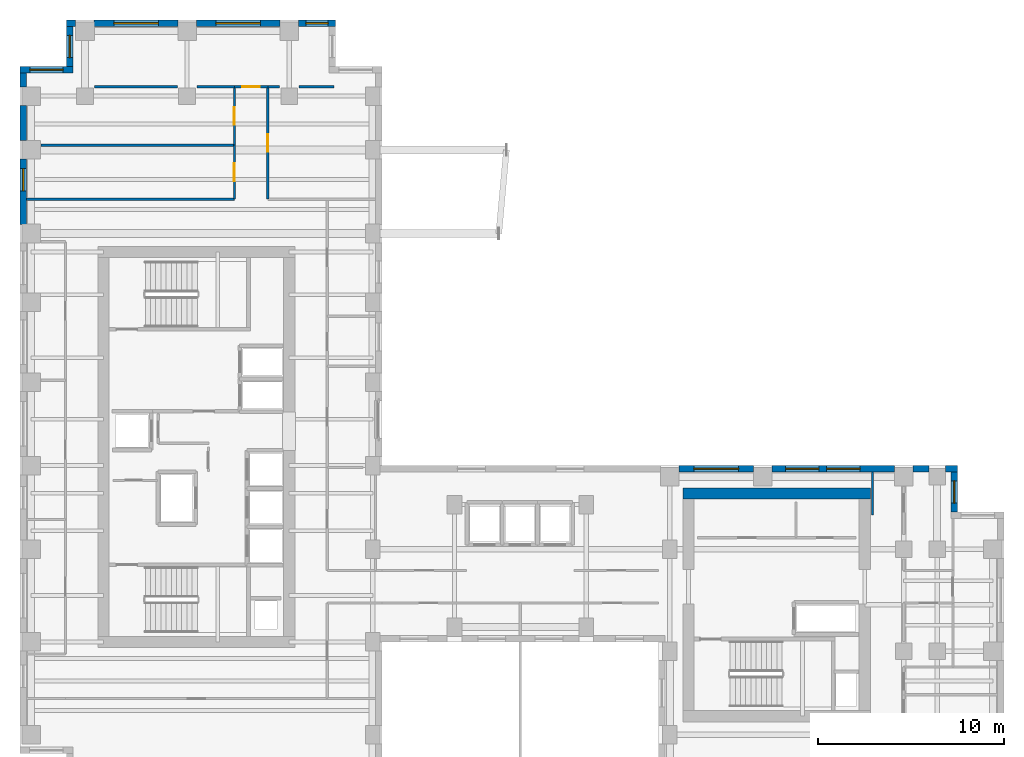
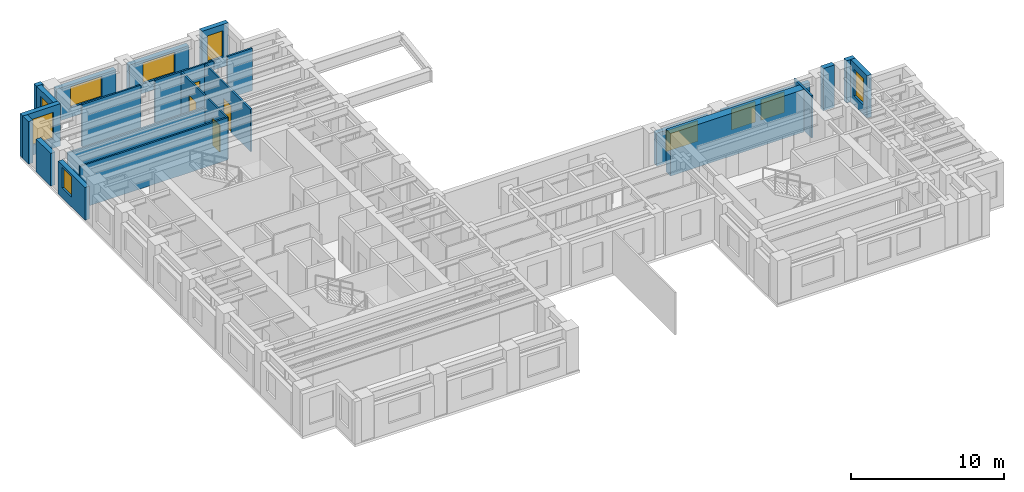
# One storey, part 10 of 13: 26 walls, 10 windows, 4 doors, 14 openings.
"""IFC4 building model written with IfcOpenShell, lengths in metres."""

from ifc_helpers import new_model, si_unit, direction, frame, frame_2d, origin, place, context, subcontext, project, spatial, rectangle, extrude, source, transform, mapped, material, layer, layer_set, type_object, element, fill, save


model = new_model("IFC4")

# Units and contexts
model_context = context("Model", 3, precision=1e-05, world=origin(), true_north=direction((0.0, 1.0)))
body_context = subcontext(model_context, "Body", "Model", "MODEL_VIEW")
ifc_project = project(units=[si_unit("LENGTHUNIT", "METRE"), si_unit("AREAUNIT", "SQUARE_METRE"), si_unit("VOLUMEUNIT", "CUBIC_METRE"), si_unit("PLANEANGLEUNIT", "RADIAN"), si_unit("MASSUNIT", "GRAM", prefix="KILO")], contexts=[model_context])

# Site, building, storey
site_placement = place(None, origin())
site = spatial("IfcSite", under=ifc_project, at=site_placement, CompositionType="ELEMENT")
building_placement = place(site_placement, origin())
building = spatial("IfcBuilding", under=site, at=building_placement, Name="Kharzan Plaza Tower", CompositionType="ELEMENT")
storey_placement = place(building_placement, frame((0.0, 0.0, 197.10009765625)))
storey = spatial("IfcBuildingStorey", under=building, at=storey_placement, Name="L53", CompositionType="ELEMENT", Elevation=197.10009765625)

# Wall, opening, window
ifc_material_1 = material(Name="Concrete C40/50", Category="concrete")
ifc_layer_1 = layer(ifc_material_1, 0.35009765625)
ifc_layer_set_1 = layer_set([ifc_layer_1], Name="Concrete C40/50")
wall_type_1 = type_object("IfcWallType", Name="WL-EXT-MAS-Z3", PredefinedType="SOLIDWALL", material=ifc_layer_set_1)
wall_1_placement = place(storey_placement, frame((17.0, 41.824951171875, 0.0), z_axis=(0.0, 0.0, 1.0), x_axis=(-1.0, 0.0, 0.0)))
wall_1 = element("IfcWall", 1, at=wall_1_placement, inside=storey, type_object=wall_type_1, Name="L53 Masonry-Frame Exterior Wall 03", PredefinedType="SOLIDWALL", context=body_context, shape_type="SweptSolid", body=[
    extrude(rectangle(XDim=2.001953125, YDim=0.35009765625, at=frame_2d((1.0009765625, 0.0))), origin(), (0.0, 0.0, 1.0), 3.385009765625),
])
opening_1_placement = place(wall_1_placement, frame((0.40087890625, 0.0, 0.780029296875)))
opening_1 = element("IfcOpeningElement", 2, at=opening_1_placement, cuts=wall_1, Name="Opening W3", PredefinedType="OPENING", context=body_context, shape_type="SweptSolid", body=[
    extrude(rectangle(XDim=1.199951171875, YDim=2.10009765625, at=frame_2d((0.60009765625, 1.050048828125))), frame((0.0, 0.18505859375, 0.0), z_axis=(0.0, -1.0, 0.0), x_axis=(1.0, 0.0, 0.0)), (0.0, 0.0, 1.0), 0.3701171875),
])
ifc_material_2 = material(Name="Low-E Double Glazing", Category="glass")
window_type_1 = type_object("IfcWindowType", Name="WN-REC-1200x2100", PartitioningType="SINGLE_PANEL", PredefinedType="WINDOW", material=ifc_material_2)
shared_shape_1 = source(origin(), body_context, "Body", "SweptSolid", [
    extrude(rectangle(XDim=1.199951171875, YDim=2.10009765625, at=frame_2d((0.60009765625, 1.050048828125))), frame((0.0, 0.030029296875, 0.0), z_axis=(0.0, -1.0, 0.0), x_axis=(1.0, 0.0, 0.0)), (0.0, 0.0, 1.0), 0.06005859375),
])
window_1_placement = place(opening_1_placement, origin())
window_1 = element("IfcWindow", 3, at=window_1_placement, inside=storey, type_object=window_type_1, Name="L53 Recessed Solar-Control Window 03-1", OverallHeight=2.10009765625, OverallWidth=1.199951171875, PartitioningType="SINGLE_PANEL", PredefinedType="WINDOW", context=body_context, shape_type="MappedRepresentation", body=[
    mapped(shared_shape_1, transform((0.0, 0.0, 0.0), x_axis=(1.0, 0.0, 0.0), y_axis=(0.0, 1.0, 0.0), z_axis=(0.0, 0.0, 1.0))),
])
fill(opening_1, window_1)

wall_2_placement = place(storey_placement, frame((14.001953125, 41.824951171875, 0.0), z_axis=(0.0, 0.0, 1.0), x_axis=(-1.0, 0.0, 0.0)))
wall_2 = element("IfcWall", 4, at=wall_2_placement, inside=storey, type_object=wall_type_1, Name="L53 Masonry-Frame Exterior Wall 04", PredefinedType="SOLIDWALL", context=body_context, shape_type="SweptSolid", body=[
    extrude(rectangle(XDim=4.50390625, YDim=0.35009765625, at=frame_2d((2.251953125, 0.0))), origin(), (0.0, 0.0, 1.0), 2.61181640625),
])
opening_2_placement = place(wall_2_placement, frame((1.052001953125, 0.0, 0.780029296875)))
opening_2 = element("IfcOpeningElement", 5, at=opening_2_placement, cuts=wall_2, Name="Opening W2", PredefinedType="OPENING", context=body_context, shape_type="SweptSolid", body=[
    extrude(rectangle(XDim=2.39990234375, YDim=1.652099609375, at=frame_2d((1.199951171875, 0.826171875))), frame((0.0, 0.18505859375, 0.0), z_axis=(0.0, -1.0, 0.0), x_axis=(1.0, 0.0, 0.0)), (0.0, 0.0, 1.0), 0.3701171875),
])
window_type_2 = type_object("IfcWindowType", Name="WN-REC-2400x2100", PartitioningType="SINGLE_PANEL", PredefinedType="WINDOW", material=ifc_material_2)
shared_shape_2 = source(origin(), body_context, "Body", "SweptSolid", [
    extrude(rectangle(XDim=2.39990234375, YDim=1.652099609375, at=frame_2d((1.199951171875, 0.826171875))), frame((0.0, 0.030029296875, 0.0), z_axis=(0.0, -1.0, 0.0), x_axis=(1.0, 0.0, 0.0)), (0.0, 0.0, 1.0), 0.06005859375),
])
window_2_placement = place(opening_2_placement, origin())
window_2 = element("IfcWindow", 6, at=window_2_placement, inside=storey, type_object=window_type_2, Name="L53 Wide Recessed Solar-Control Window 04-1", OverallHeight=1.652099609375, OverallWidth=2.39990234375, PartitioningType="SINGLE_PANEL", PredefinedType="WINDOW", context=body_context, shape_type="MappedRepresentation", body=[
    mapped(shared_shape_2, transform((0.0, 0.0, 0.0), x_axis=(1.0, 0.0, 0.0), y_axis=(0.0, 1.0, 0.0), z_axis=(0.0, 0.0, 1.0))),
])
fill(opening_2, window_2)

wall_3_placement = place(storey_placement, frame((8.501953125, 41.824951171875, 0.0), z_axis=(0.0, 0.0, 1.0), x_axis=(-1.0, 0.0, 0.0)))
wall_3 = element("IfcWall", 7, at=wall_3_placement, inside=storey, type_object=wall_type_1, Name="L53 Masonry-Frame Exterior Wall 05", PredefinedType="SOLIDWALL", context=body_context, shape_type="SweptSolid", body=[
    extrude(rectangle(XDim=4.50390625, YDim=0.35009765625, at=frame_2d((2.251953125, 0.0))), origin(), (0.0, 0.0, 1.0), 2.61181640625),
])
opening_3_placement = place(wall_3_placement, frame((1.052001953125, 0.0, 0.780029296875)))
opening_3 = element("IfcOpeningElement", 8, at=opening_3_placement, cuts=wall_3, Name="Opening W2", PredefinedType="OPENING", context=body_context, shape_type="SweptSolid", body=[
    extrude(rectangle(XDim=2.39990234375, YDim=1.652099609375, at=frame_2d((1.199951171875, 0.826171875))), frame((0.0, 0.18505859375, 0.0), z_axis=(0.0, -1.0, 0.0), x_axis=(1.0, 0.0, 0.0)), (0.0, 0.0, 1.0), 0.3701171875),
])
window_3_placement = place(opening_3_placement, origin())
window_3 = element("IfcWindow", 9, at=window_3_placement, inside=storey, type_object=window_type_2, Name="L53 Wide Recessed Solar-Control Window 05-1", OverallHeight=1.652099609375, OverallWidth=2.39990234375, PartitioningType="SINGLE_PANEL", PredefinedType="WINDOW", context=body_context, shape_type="MappedRepresentation", body=[
    mapped(shared_shape_2, transform((0.0, 0.0, 0.0), x_axis=(1.0, 0.0, 0.0), y_axis=(0.0, 1.0, 0.0), z_axis=(0.0, 0.0, 1.0))),
])
fill(opening_3, window_3)

wall_4_placement = place(storey_placement, frame((2.675048828125, 41.652099609375, 0.0), z_axis=(0.0, 0.0, 1.0), x_axis=(0.0, -1.0, 0.0)))
wall_4 = element("IfcWall", 10, at=wall_4_placement, inside=storey, type_object=wall_type_1, Name="L53 Masonry-Frame Exterior Wall 07", PredefinedType="SOLIDWALL", context=body_context, shape_type="SweptSolid", body=[
    extrude(rectangle(XDim=2.154052734375, YDim=0.35009765625, at=frame_2d((1.0771484375, 0.0))), origin(), (0.0, 0.0, 1.0), 3.385009765625),
])
opening_4_placement = place(wall_4_placement, frame((0.47705078125, 0.0, 0.780029296875)))
opening_4 = element("IfcOpeningElement", 11, at=opening_4_placement, cuts=wall_4, Name="Opening W3", PredefinedType="OPENING", context=body_context, shape_type="SweptSolid", body=[
    extrude(rectangle(XDim=1.199951171875, YDim=2.10009765625, at=frame_2d((0.60009765625, 1.050048828125))), frame((0.0, 0.18505859375, 0.0), z_axis=(0.0, -1.0, 0.0), x_axis=(1.0, 0.0, 0.0)), (0.0, 0.0, 1.0), 0.3701171875),
])
window_4_placement = place(opening_4_placement, origin())
window_4 = element("IfcWindow", 12, at=window_4_placement, inside=storey, type_object=window_type_1, Name="L53 Recessed Solar-Control Window 07-1", OverallHeight=2.10009765625, OverallWidth=1.199951171875, PartitioningType="SINGLE_PANEL", PredefinedType="WINDOW", context=body_context, shape_type="MappedRepresentation", body=[
    mapped(shared_shape_1, transform((0.0, 0.0, 0.0), x_axis=(1.0, 0.0, 0.0), y_axis=(0.0, 1.0, 0.0), z_axis=(0.0, 0.0, 1.0))),
])
fill(opening_4, window_4)

wall_5_placement = place(storey_placement, frame((2.85009765625, 39.324951171875, 0.0), z_axis=(0.0, 0.0, 1.0), x_axis=(-1.0, 0.0, 0.0)))
wall_5 = element("IfcWall", 13, at=wall_5_placement, inside=storey, type_object=wall_type_1, Name="L53 Masonry-Frame Exterior Wall 08", PredefinedType="SOLIDWALL", context=body_context, shape_type="SweptSolid", body=[
    extrude(rectangle(XDim=2.85009765625, YDim=0.35009765625, at=frame_2d((1.425048828125, 0.0))), origin(), (0.0, 0.0, 1.0), 3.385009765625),
])
opening_5_placement = place(wall_5_placement, frame((0.52490234375, 0.0, 0.780029296875)))
opening_5 = element("IfcOpeningElement", 14, at=opening_5_placement, cuts=wall_5, Name="Opening W1", PredefinedType="OPENING", context=body_context, shape_type="SweptSolid", body=[
    extrude(rectangle(XDim=1.800048828125, YDim=2.10009765625, at=frame_2d((0.89990234375, 1.050048828125))), frame((0.0, 0.18505859375, 0.0), z_axis=(0.0, -1.0, 0.0), x_axis=(1.0, 0.0, 0.0)), (0.0, 0.0, 1.0), 0.3701171875),
])
window_type_3 = type_object("IfcWindowType", Name="WN-REC-1800x2100", PartitioningType="SINGLE_PANEL", PredefinedType="WINDOW", material=ifc_material_2)
shared_shape_3 = source(origin(), body_context, "Body", "SweptSolid", [
    extrude(rectangle(XDim=1.800048828125, YDim=2.10009765625, at=frame_2d((0.89990234375, 1.050048828125))), frame((0.0, 0.030029296875, 0.0), z_axis=(0.0, -1.0, 0.0), x_axis=(1.0, 0.0, 0.0)), (0.0, 0.0, 1.0), 0.06005859375),
])
window_5_placement = place(opening_5_placement, origin())
window_5 = element("IfcWindow", 15, at=window_5_placement, inside=storey, type_object=window_type_3, Name="L53 Recessed Solar-Control Window 08-1", OverallHeight=2.10009765625, OverallWidth=1.800048828125, PartitioningType="SINGLE_PANEL", PredefinedType="WINDOW", context=body_context, shape_type="MappedRepresentation", body=[
    mapped(shared_shape_3, transform((0.0, 0.0, 0.0), x_axis=(1.0, 0.0, 0.0), y_axis=(0.0, 1.0, 0.0), z_axis=(0.0, 0.0, 1.0))),
])
fill(opening_5, window_5)

wall_6_placement = place(storey_placement, frame((0.175048828125, 34.501953125, 0.0), z_axis=(0.0, 0.0, 1.0), x_axis=(0.0, -1.0, 0.0)))
wall_6 = element("IfcWall", 16, at=wall_6_placement, inside=storey, type_object=wall_type_1, Name="L53 Masonry-Frame Exterior Wall 11", PredefinedType="SOLIDWALL", context=body_context, shape_type="SweptSolid", body=[
    extrude(rectangle(XDim=3.50390625, YDim=0.35009765625, at=frame_2d((1.751953125, 0.0))), origin(), (0.0, 0.0, 1.0), 2.61181640625),
])
opening_6_placement = place(wall_6_placement, frame((0.510986328125, 0.0, 0.780029296875)))
opening_6 = element("IfcOpeningElement", 17, at=opening_6_placement, cuts=wall_6, Name="Opening W3", PredefinedType="OPENING", context=body_context, shape_type="SweptSolid", body=[
    extrude(rectangle(XDim=1.199951171875, YDim=1.652099609375, at=frame_2d((0.60009765625, 0.826171875))), frame((0.0, 0.18505859375, 0.0), z_axis=(0.0, -1.0, 0.0), x_axis=(1.0, 0.0, 0.0)), (0.0, 0.0, 1.0), 0.3701171875),
])
shared_shape_4 = source(origin(), body_context, "Body", "SweptSolid", [
    extrude(rectangle(XDim=1.199951171875, YDim=1.652099609375, at=frame_2d((0.60009765625, 0.826171875))), frame((0.0, 0.030029296875, 0.0), z_axis=(0.0, -1.0, 0.0), x_axis=(1.0, 0.0, 0.0)), (0.0, 0.0, 1.0), 0.06005859375),
])
window_6_placement = place(opening_6_placement, origin())
window_6 = element("IfcWindow", 18, at=window_6_placement, inside=storey, type_object=window_type_1, Name="L53 Recessed Solar-Control Window 11-1", OverallHeight=1.652099609375, OverallWidth=1.199951171875, PartitioningType="SINGLE_PANEL", PredefinedType="WINDOW", context=body_context, shape_type="MappedRepresentation", body=[
    mapped(shared_shape_4, transform((0.0, 0.0, 0.0), x_axis=(1.0, 0.0, 0.0), y_axis=(0.0, 1.0, 0.0), z_axis=(0.0, 0.0, 1.0))),
])
fill(opening_6, window_6)

wall_7_placement = place(storey_placement, frame((50.324951171875, 15.498046875, 0.0), z_axis=(0.0, 0.0, 1.0), x_axis=(0.0, 1.0, 0.0)))
wall_7 = element("IfcWall", 19, at=wall_7_placement, inside=storey, type_object=wall_type_1, Name="L53 Masonry-Frame Exterior Wall 41", PredefinedType="SOLIDWALL", context=body_context, shape_type="SweptSolid", body=[
    extrude(rectangle(XDim=2.154052734375, YDim=0.35009765625, at=frame_2d((1.0771484375, 0.0))), origin(), (0.0, 0.0, 1.0), 3.385009765625),
])
opening_7_placement = place(wall_7_placement, frame((0.47705078125, 0.0, 0.780029296875)))
opening_7 = element("IfcOpeningElement", 20, at=opening_7_placement, cuts=wall_7, Name="Opening W3", PredefinedType="OPENING", context=body_context, shape_type="SweptSolid", body=[
    extrude(rectangle(XDim=1.199951171875, YDim=2.10009765625, at=frame_2d((0.60009765625, 1.050048828125))), frame((0.0, 0.18505859375, 0.0), z_axis=(0.0, -1.0, 0.0), x_axis=(1.0, 0.0, 0.0)), (0.0, 0.0, 1.0), 0.3701171875),
])
window_7_placement = place(opening_7_placement, origin())
window_7 = element("IfcWindow", 21, at=window_7_placement, inside=storey, type_object=window_type_1, Name="L53 Recessed Solar-Control Window 41-1", OverallHeight=2.10009765625, OverallWidth=1.199951171875, PartitioningType="SINGLE_PANEL", PredefinedType="WINDOW", context=body_context, shape_type="MappedRepresentation", body=[
    mapped(shared_shape_1, transform((0.0, 0.0, 0.0), x_axis=(1.0, 0.0, 0.0), y_axis=(0.0, 1.0, 0.0), z_axis=(0.0, 0.0, 1.0))),
])
fill(opening_7, window_7)

# Wall, openings, windows
wall_8_placement = place(storey_placement, frame((47.10205078125, 17.824951171875, 0.0), z_axis=(0.0, 0.0, 1.0), x_axis=(-1.0, 0.0, 0.0)))
wall_8 = element("IfcWall", 22, at=wall_8_placement, inside=storey, type_object=wall_type_1, Name="L53 Masonry-Frame Exterior Wall 44", PredefinedType="SOLIDWALL", context=body_context, shape_type="SweptSolid", body=[
    extrude(rectangle(XDim=6.60400390625, YDim=0.35009765625, at=frame_2d((3.302001953125, 0.0))), origin(), (0.0, 0.0, 1.0), 2.61181640625),
])
opening_8_placement = place(wall_8_placement, frame((1.849365234375, 0.0, 0.780029296875)))
opening_8 = element("IfcOpeningElement", 23, at=opening_8_placement, cuts=wall_8, Name="Opening W1", PredefinedType="OPENING", context=body_context, shape_type="SweptSolid", body=[
    extrude(rectangle(XDim=1.800048828125, YDim=1.652099609375, at=frame_2d((0.89990234375, 0.826171875))), frame((0.0, 0.18505859375, 0.0), z_axis=(0.0, -1.0, 0.0), x_axis=(1.0, 0.0, 0.0)), (0.0, 0.0, 1.0), 0.3701171875),
])
opening_9_placement = place(wall_8_placement, frame((4.066650390625, 0.0, 0.780029296875)))
opening_9 = element("IfcOpeningElement", 24, at=opening_9_placement, cuts=wall_8, Name="Opening W1", PredefinedType="OPENING", context=body_context, shape_type="SweptSolid", body=[
    extrude(rectangle(XDim=1.800048828125, YDim=1.652099609375, at=frame_2d((0.89990234375, 0.826171875))), frame((0.0, 0.18505859375, 0.0), z_axis=(0.0, -1.0, 0.0), x_axis=(1.0, 0.0, 0.0)), (0.0, 0.0, 1.0), 0.3701171875),
])
shared_shape_5 = source(origin(), body_context, "Body", "SweptSolid", [
    extrude(rectangle(XDim=1.800048828125, YDim=1.652099609375, at=frame_2d((0.89990234375, 0.826171875))), frame((0.0, 0.030029296875, 0.0), z_axis=(0.0, -1.0, 0.0), x_axis=(1.0, 0.0, 0.0)), (0.0, 0.0, 1.0), 0.06005859375),
])
window_8_placement = place(opening_8_placement, origin())
window_8 = element("IfcWindow", 25, at=window_8_placement, inside=storey, type_object=window_type_3, Name="L53 Recessed Solar-Control Window 44-1", OverallHeight=1.652099609375, OverallWidth=1.800048828125, PartitioningType="SINGLE_PANEL", PredefinedType="WINDOW", context=body_context, shape_type="MappedRepresentation", body=[
    mapped(shared_shape_5, transform((0.0, 0.0, 0.0), x_axis=(1.0, 0.0, 0.0), y_axis=(0.0, 1.0, 0.0), z_axis=(0.0, 0.0, 1.0))),
])
fill(opening_8, window_8)
window_9_placement = place(opening_9_placement, origin())
window_9 = element("IfcWindow", 26, at=window_9_placement, inside=storey, type_object=window_type_3, Name="L53 Recessed Solar-Control Window 44-2", OverallHeight=1.652099609375, OverallWidth=1.800048828125, PartitioningType="SINGLE_PANEL", PredefinedType="WINDOW", context=body_context, shape_type="MappedRepresentation", body=[
    mapped(shared_shape_5, transform((0.0, 0.0, 0.0), x_axis=(1.0, 0.0, 0.0), y_axis=(0.0, 1.0, 0.0), z_axis=(0.0, 0.0, 1.0))),
])
fill(opening_9, window_9)

# Wall, opening, window
wall_9_placement = place(storey_placement, frame((39.501953125, 17.824951171875, 0.0), z_axis=(0.0, 0.0, 1.0), x_axis=(-1.0, 0.0, 0.0)))
wall_9 = element("IfcWall", 27, at=wall_9_placement, inside=storey, type_object=wall_type_1, Name="L53 Masonry-Frame Exterior Wall 45", PredefinedType="SOLIDWALL", context=body_context, shape_type="SweptSolid", body=[
    extrude(rectangle(XDim=4.00390625, YDim=0.35009765625, at=frame_2d((2.001953125, 0.0))), origin(), (0.0, 0.0, 1.0), 2.61181640625),
])
opening_10_placement = place(wall_9_placement, frame((0.802001953125, 0.0, 0.780029296875)))
opening_10 = element("IfcOpeningElement", 28, at=opening_10_placement, cuts=wall_9, Name="Opening W2", PredefinedType="OPENING", context=body_context, shape_type="SweptSolid", body=[
    extrude(rectangle(XDim=2.39990234375, YDim=1.652099609375, at=frame_2d((1.199951171875, 0.826171875))), frame((0.0, 0.18505859375, 0.0), z_axis=(0.0, -1.0, 0.0), x_axis=(1.0, 0.0, 0.0)), (0.0, 0.0, 1.0), 0.3701171875),
])
window_10_placement = place(opening_10_placement, origin())
window_10 = element("IfcWindow", 29, at=window_10_placement, inside=storey, type_object=window_type_2, Name="L53 Wide Recessed Solar-Control Window 45-1", OverallHeight=1.652099609375, OverallWidth=2.39990234375, PartitioningType="SINGLE_PANEL", PredefinedType="WINDOW", context=body_context, shape_type="MappedRepresentation", body=[
    mapped(shared_shape_2, transform((0.0, 0.0, 0.0), x_axis=(1.0, 0.0, 0.0), y_axis=(0.0, 1.0, 0.0), z_axis=(0.0, 0.0, 1.0))),
])
fill(opening_10, window_10)

# Wall, opening, door
ifc_material_3 = material(Name="Fire-Rated Gypsum Board Partition", Category="gypsum")
ifc_layer_2 = layer(ifc_material_3, 0.125)
ifc_layer_set_2 = layer_set([ifc_layer_2], Name="Fire-Rated Gypsum Board Partition")
wall_type_2 = type_object("IfcWallType", Name="WL-INT-PART-125", PredefinedType="PARTITIONING", material=ifc_layer_set_2)
wall_10_placement = place(storey_placement, frame((13.35009765625, 32.35009765625, 0.0), z_axis=(0.0, 0.0, 1.0), x_axis=(0.0, 1.0, 0.0)))
wall_10 = element("IfcWall", 30, at=wall_10_placement, inside=storey, type_object=wall_type_2, Name="L53 Interior Partition SH-SPE-1", PredefinedType="PARTITIONING", context=body_context, shape_type="SweptSolid", body=[
    extrude(rectangle(XDim=6.0498046875, YDim=0.125, at=frame_2d((3.02490234375, 0.0))), origin(), (0.0, 0.0, 1.0), 3.385009765625),
])
opening_11_placement = place(wall_10_placement, frame((2.550048828125, 0.0, 0.0)))
opening_11 = element("IfcOpeningElement", 31, at=opening_11_placement, cuts=wall_10, Name="Opening OD1", PredefinedType="OPENING", context=body_context, shape_type="SweptSolid", body=[
    extrude(rectangle(XDim=0.949951171875, YDim=2.14990234375, at=frame_2d((0.47509765625, 1.074951171875))), frame((0.0, 0.072509765625, 0.0), z_axis=(0.0, -1.0, 0.0), x_axis=(1.0, 0.0, 0.0)), (0.0, 0.0, 1.0), 0.14501953125),
])
ifc_material_4 = material(Name="Acoustic Solid-Core Stained Oak", Category="timber")
door_type = type_object("IfcDoorType", Name="DR-OFF-SINGLE", OperationType="NOTDEFINED", PredefinedType="DOOR", material=ifc_material_4)
shared_shape_6 = source(origin(), body_context, "Body", "SweptSolid", [
    extrude(rectangle(XDim=0.949951171875, YDim=2.14990234375, at=frame_2d((0.47509765625, 1.074951171875))), frame((0.0, 0.02490234375, 0.0), z_axis=(0.0, -1.0, 0.0), x_axis=(1.0, 0.0, 0.0)), (0.0, 0.0, 1.0), 0.050048828125),
])
door_1_placement = place(opening_11_placement, origin())
door_1 = element("IfcDoor", 32, at=door_1_placement, inside=storey, type_object=door_type, Name="L53 Project Engineering Office Door", OperationType="SINGLE_SWING_RIGHT", OverallHeight=2.14990234375, OverallWidth=0.949951171875, PredefinedType="DOOR", context=body_context, shape_type="MappedRepresentation", body=[
    mapped(shared_shape_6, transform((0.0, 0.0, 0.0), x_axis=(1.0, 0.0, 0.0), y_axis=(0.0, 1.0, 0.0), z_axis=(0.0, 0.0, 1.0))),
])
fill(opening_11, door_1)

wall_11_placement = place(storey_placement, frame((11.550048828125, 38.39990234375, 0.0), z_axis=(0.0, 0.0, 1.0), x_axis=(1.0, 0.0, 0.0)))
wall_11 = element("IfcWall", 33, at=wall_11_placement, inside=storey, type_object=wall_type_2, Name="L53 Interior Partition SH-SPHD", PredefinedType="PARTITIONING", context=body_context, shape_type="SweptSolid", body=[
    extrude(rectangle(XDim=1.800048828125, YDim=0.125, at=frame_2d((0.89990234375, 0.0))), origin(), (0.0, 0.0, 1.0), 3.385009765625),
])
opening_12_placement = place(wall_11_placement, frame((0.425048828125, 0.0, 0.0)))
opening_12 = element("IfcOpeningElement", 34, at=opening_12_placement, cuts=wall_11, Name="Opening OD1", PredefinedType="OPENING", context=body_context, shape_type="SweptSolid", body=[
    extrude(rectangle(XDim=0.949951171875, YDim=2.14990234375, at=frame_2d((0.47509765625, 1.074951171875))), frame((0.0, 0.072509765625, 0.0), z_axis=(0.0, -1.0, 0.0), x_axis=(1.0, 0.0, 0.0)), (0.0, 0.0, 1.0), 0.14501953125),
])
door_2_placement = place(opening_12_placement, origin())
door_2 = element("IfcDoor", 35, at=door_2_placement, inside=storey, type_object=door_type, Name="L53 North Boardroom Door", OperationType="SINGLE_SWING_LEFT", OverallHeight=2.14990234375, OverallWidth=0.949951171875, PredefinedType="DOOR", context=body_context, shape_type="MappedRepresentation", body=[
    mapped(shared_shape_6, transform((0.0, 0.0, 0.0), x_axis=(1.0, 0.0, 0.0), y_axis=(0.0, 1.0, 0.0), z_axis=(0.0, 0.0, 1.0))),
])
fill(opening_12, door_2)

wall_12_placement = place(storey_placement, frame((11.550048828125, 32.35009765625, 0.0), z_axis=(0.0, 0.0, 1.0), x_axis=(0.0, 1.0, 0.0)))
wall_12 = element("IfcWall", 36, at=wall_12_placement, inside=storey, type_object=wall_type_2, Name="L53 Interior Partition SH-SPW-1", PredefinedType="PARTITIONING", context=body_context, shape_type="SweptSolid", body=[
    extrude(rectangle(XDim=2.90380859375, YDim=0.125, at=frame_2d((1.451904296875, 0.0))), origin(), (0.0, 0.0, 1.0), 3.385009765625),
])
opening_13_placement = place(wall_12_placement, frame((0.97705078125, 0.0, 0.0)))
opening_13 = element("IfcOpeningElement", 37, at=opening_13_placement, cuts=wall_12, Name="Opening OD1", PredefinedType="OPENING", context=body_context, shape_type="SweptSolid", body=[
    extrude(rectangle(XDim=0.949951171875, YDim=2.14990234375, at=frame_2d((0.47509765625, 1.074951171875))), frame((0.0, 0.072509765625, 0.0), z_axis=(0.0, -1.0, 0.0), x_axis=(1.0, 0.0, 0.0)), (0.0, 0.0, 1.0), 0.14501953125),
])
door_3_placement = place(opening_13_placement, origin())
door_3 = element("IfcDoor", 38, at=door_3_placement, inside=storey, type_object=door_type, Name="L53 Systems Planning Office Door", OperationType="SINGLE_SWING_RIGHT", OverallHeight=2.14990234375, OverallWidth=0.949951171875, PredefinedType="DOOR", context=body_context, shape_type="MappedRepresentation", body=[
    mapped(shared_shape_6, transform((0.0, 0.0, 0.0), x_axis=(1.0, 0.0, 0.0), y_axis=(0.0, 1.0, 0.0), z_axis=(0.0, 0.0, 1.0))),
])
fill(opening_13, door_3)

wall_13_placement = place(storey_placement, frame((11.550048828125, 35.25390625, 0.0), z_axis=(0.0, 0.0, 1.0), x_axis=(0.0, 1.0, 0.0)))
wall_13 = element("IfcWall", 39, at=wall_13_placement, inside=storey, type_object=wall_type_2, Name="L53 Interior Partition SH-SPW-2", PredefinedType="PARTITIONING", context=body_context, shape_type="SweptSolid", body=[
    extrude(rectangle(XDim=3.14599609375, YDim=0.125, at=frame_2d((1.572998046875, 0.0))), origin(), (0.0, 0.0, 1.0), 3.385009765625),
])
opening_14_placement = place(wall_13_placement, frame((1.097900390625, 0.0, 0.0)))
opening_14 = element("IfcOpeningElement", 40, at=opening_14_placement, cuts=wall_13, Name="Opening OD1", PredefinedType="OPENING", context=body_context, shape_type="SweptSolid", body=[
    extrude(rectangle(XDim=0.949951171875, YDim=2.14990234375, at=frame_2d((0.47509765625, 1.074951171875))), frame((0.0, 0.072509765625, 0.0), z_axis=(0.0, -1.0, 0.0), x_axis=(1.0, 0.0, 0.0)), (0.0, 0.0, 1.0), 0.14501953125),
])
door_4_placement = place(opening_14_placement, origin())
door_4 = element("IfcDoor", 41, at=door_4_placement, inside=storey, type_object=door_type, Name="L53 Open Office Workspace Door", OperationType="SINGLE_SWING_LEFT", OverallHeight=2.14990234375, OverallWidth=0.949951171875, PredefinedType="DOOR", context=body_context, shape_type="MappedRepresentation", body=[
    mapped(shared_shape_6, transform((0.0, 0.0, 0.0), x_axis=(1.0, 0.0, 0.0), y_axis=(0.0, 1.0, 0.0), z_axis=(0.0, 0.0, 1.0))),
])
fill(opening_14, door_4)

# Walls
ifc_material_5 = material(Name="Concrete C50/60", Category="concrete")
ifc_layer_3 = layer(ifc_material_5, 0.60009765625)
ifc_layer_set_3 = layer_set([ifc_layer_3], Name="Concrete C50/60")
wall_type_3 = type_object("IfcWallType", Name="WL-CORE-600", PredefinedType="SHEAR", material=ifc_layer_set_3)
shared_shape_7 = source(origin(), body_context, "Body", "SweptSolid", [
    extrude(rectangle(XDim=10.10009765625, YDim=0.60009765625, at=frame_2d((5.050048828125, 0.0))), origin(), (0.0, 0.0, 1.0), 3.39990234375),
])
wall_14_placement = place(storey_placement, frame((35.699951171875, 16.5, 0.0), z_axis=(0.0, 0.0, 1.0), x_axis=(1.0, 0.0, 0.0)))
element("IfcWall", 42, at=wall_14_placement, inside=storey, type_object=wall_type_3, Name="L53 CORE-B north RC shear wall", PredefinedType="SHEAR", context=body_context, shape_type="MappedRepresentation", body=[
    mapped(shared_shape_7, transform((0.0, 0.0, 0.0), x_axis=(1.0, 0.0, 0.0), y_axis=(0.0, 1.0, 0.0), z_axis=(0.0, 0.0, 1.0))),
])
shared_shape_8 = source(origin(), body_context, "Body", "SweptSolid", [
    extrude(rectangle(XDim=0.501953125, YDim=0.35009765625, at=frame_2d((0.2509765625, 0.0))), origin(), (0.0, 0.0, 1.0), 3.385009765625),
])
wall_15_placement = place(storey_placement, frame((3.001953125, 41.824951171875, 0.0), z_axis=(0.0, 0.0, 1.0), x_axis=(-1.0, 0.0, 0.0)))
element("IfcWall", 43, at=wall_15_placement, inside=storey, type_object=wall_type_1, Name="L53 Masonry-Frame Exterior Wall 06", PredefinedType="SOLIDWALL", context=body_context, shape_type="MappedRepresentation", body=[
    mapped(shared_shape_8, transform((0.0, 0.0, 0.0), x_axis=(1.0, 0.0, 0.0), y_axis=(0.0, 1.0, 0.0), z_axis=(0.0, 0.0, 1.0))),
])
shared_shape_9 = source(origin(), body_context, "Body", "SweptSolid", [
    extrude(rectangle(XDim=0.754150390625, YDim=0.35009765625, at=frame_2d((0.376953125, 0.0))), origin(), (0.0, 0.0, 1.0), 3.385009765625),
])
wall_16_placement = place(storey_placement, frame((0.175048828125, 39.152099609375, 0.0), z_axis=(0.0, 0.0, 1.0), x_axis=(0.0, -1.0, 0.0)))
element("IfcWall", 44, at=wall_16_placement, inside=storey, type_object=wall_type_1, Name="L53 Masonry-Frame Exterior Wall 09", PredefinedType="SOLIDWALL", context=body_context, shape_type="MappedRepresentation", body=[
    mapped(shared_shape_9, transform((0.0, 0.0, 0.0), x_axis=(1.0, 0.0, 0.0), y_axis=(0.0, 1.0, 0.0), z_axis=(0.0, 0.0, 1.0))),
])
shared_shape_10 = source(origin(), body_context, "Body", "SweptSolid", [
    extrude(rectangle(XDim=1.904052734375, YDim=0.35009765625, at=frame_2d((0.9521484375, 0.0))), origin(), (0.0, 0.0, 1.0), 2.61181640625),
])
wall_17_placement = place(storey_placement, frame((0.175048828125, 37.402099609375, 0.0), z_axis=(0.0, 0.0, 1.0), x_axis=(0.0, -1.0, 0.0)))
element("IfcWall", 45, at=wall_17_placement, inside=storey, type_object=wall_type_1, Name="L53 Masonry-Frame Exterior Wall 10", PredefinedType="SOLIDWALL", context=body_context, shape_type="MappedRepresentation", body=[
    mapped(shared_shape_10, transform((0.0, 0.0, 0.0), x_axis=(1.0, 0.0, 0.0), y_axis=(0.0, 1.0, 0.0), z_axis=(0.0, 0.0, 1.0))),
])
shared_shape_11 = source(origin(), body_context, "Body", "SweptSolid", [
    extrude(rectangle(XDim=0.652099609375, YDim=0.35009765625, at=frame_2d((0.326171875, 0.0))), origin(), (0.0, 0.0, 1.0), 3.385009765625),
])
wall_18_placement = place(storey_placement, frame((50.5, 17.824951171875, 0.0), z_axis=(0.0, 0.0, 1.0), x_axis=(-1.0, 0.0, 0.0)))
element("IfcWall", 46, at=wall_18_placement, inside=storey, type_object=wall_type_1, Name="L53 Masonry-Frame Exterior Wall 42", PredefinedType="SOLIDWALL", context=body_context, shape_type="MappedRepresentation", body=[
    mapped(shared_shape_11, transform((0.0, 0.0, 0.0), x_axis=(1.0, 0.0, 0.0), y_axis=(0.0, 1.0, 0.0), z_axis=(0.0, 0.0, 1.0))),
])
shared_shape_12 = source(origin(), body_context, "Body", "SweptSolid", [
    extrude(rectangle(XDim=0.85400390625, YDim=0.35009765625, at=frame_2d((0.427001953125, 0.0))), origin(), (0.0, 0.0, 1.0), 3.385009765625),
])
wall_19_placement = place(storey_placement, frame((48.951904296875, 17.824951171875, 0.0), z_axis=(0.0, 0.0, 1.0), x_axis=(-1.0, 0.0, 0.0)))
element("IfcWall", 47, at=wall_19_placement, inside=storey, type_object=wall_type_1, Name="L53 Masonry-Frame Exterior Wall 43", PredefinedType="SOLIDWALL", context=body_context, shape_type="MappedRepresentation", body=[
    mapped(shared_shape_12, transform((0.0, 0.0, 0.0), x_axis=(1.0, 0.0, 0.0), y_axis=(0.0, 1.0, 0.0), z_axis=(0.0, 0.0, 1.0))),
])
shared_shape_13 = source(origin(), body_context, "Body", "SweptSolid", [
    extrude(rectangle(XDim=2.2978515625, YDim=0.125, at=frame_2d((1.14892578125, 0.0))), origin(), (0.0, 0.0, 1.0), 3.385009765625),
])
wall_20_placement = place(storey_placement, frame((45.919921875, 15.35009765625, 0.0), z_axis=(0.0, 0.0, 1.0), x_axis=(0.0, 1.0, 0.0)))
element("IfcWall", 48, at=wall_20_placement, inside=storey, type_object=wall_type_2, Name="L53 Interior Partition SH-RBNE0", PredefinedType="PARTITIONING", context=body_context, shape_type="MappedRepresentation", body=[
    mapped(shared_shape_13, transform((0.0, 0.0, 0.0), x_axis=(1.0, 0.0, 0.0), y_axis=(0.0, 1.0, 0.0), z_axis=(0.0, 0.0, 1.0))),
])
shared_shape_14 = source(origin(), body_context, "Body", "SweptSolid", [
    extrude(rectangle(XDim=11.197998046875, YDim=0.125, at=frame_2d((5.59912109375, 0.0))), origin(), (0.0, 0.0, 1.0), 3.385009765625),
])
wall_21_placement = place(storey_placement, frame((0.35205078125, 32.35009765625, 0.0), z_axis=(0.0, 0.0, 1.0), x_axis=(1.0, 0.0, 0.0)))
element("IfcWall", 49, at=wall_21_placement, inside=storey, type_object=wall_type_2, Name="L53 Interior Partition SH-NNW", PredefinedType="PARTITIONING", context=body_context, shape_type="MappedRepresentation", body=[
    mapped(shared_shape_14, transform((0.0, 0.0, 0.0), x_axis=(1.0, 0.0, 0.0), y_axis=(0.0, 1.0, 0.0), z_axis=(0.0, 0.0, 1.0))),
])
shared_shape_15 = source(origin(), body_context, "Body", "SweptSolid", [
    extrude(rectangle(XDim=0.6298828125, YDim=0.125, at=frame_2d((0.31494140625, 0.0))), origin(), (0.0, 0.0, 1.0), 3.385009765625),
])
wall_22_placement = place(storey_placement, frame((13.35009765625, 38.39990234375, 0.0), z_axis=(0.0, 0.0, 1.0), x_axis=(1.0, 0.0, 0.0)))
element("IfcWall", 50, at=wall_22_placement, inside=storey, type_object=wall_type_2, Name="L53 Interior Partition SH-SPHE-S1", PredefinedType="PARTITIONING", context=body_context, shape_type="MappedRepresentation", body=[
    mapped(shared_shape_15, transform((0.0, 0.0, 0.0), x_axis=(1.0, 0.0, 0.0), y_axis=(0.0, 1.0, 0.0), z_axis=(0.0, 0.0, 1.0))),
])
shared_shape_16 = source(origin(), body_context, "Body", "SweptSolid", [
    extrude(rectangle(XDim=1.8798828125, YDim=0.125, at=frame_2d((0.93994140625, 0.0))), origin(), (0.0, 0.0, 1.0), 3.385009765625),
])
wall_23_placement = place(storey_placement, frame((15.02001953125, 38.39990234375, 0.0), z_axis=(0.0, 0.0, 1.0), x_axis=(1.0, 0.0, 0.0)))
element("IfcWall", 51, at=wall_23_placement, inside=storey, type_object=wall_type_2, Name="L53 Interior Partition SH-SPHE-S2", PredefinedType="PARTITIONING", context=body_context, shape_type="MappedRepresentation", body=[
    mapped(shared_shape_16, transform((0.0, 0.0, 0.0), x_axis=(1.0, 0.0, 0.0), y_axis=(0.0, 1.0, 0.0), z_axis=(0.0, 0.0, 1.0))),
])
shared_shape_17 = source(origin(), body_context, "Body", "SweptSolid", [
    extrude(rectangle(XDim=4.4599609375, YDim=0.125, at=frame_2d((2.22998046875, 0.0))), origin(), (0.0, 0.0, 1.0), 3.385009765625),
])
wall_24_placement = place(storey_placement, frame((4.02001953125, 38.39990234375, 0.0), z_axis=(0.0, 0.0, 1.0), x_axis=(1.0, 0.0, 0.0)))
element("IfcWall", 52, at=wall_24_placement, inside=storey, type_object=wall_type_2, Name="L53 Interior Partition SH-SPHW-S1", PredefinedType="PARTITIONING", context=body_context, shape_type="MappedRepresentation", body=[
    mapped(shared_shape_17, transform((0.0, 0.0, 0.0), x_axis=(1.0, 0.0, 0.0), y_axis=(0.0, 1.0, 0.0), z_axis=(0.0, 0.0, 1.0))),
])
shared_shape_18 = source(origin(), body_context, "Body", "SweptSolid", [
    extrude(rectangle(XDim=2.030029296875, YDim=0.125, at=frame_2d((1.01513671875, 0.0))), origin(), (0.0, 0.0, 1.0), 3.385009765625),
])
wall_25_placement = place(storey_placement, frame((9.52001953125, 38.39990234375, 0.0), z_axis=(0.0, 0.0, 1.0), x_axis=(1.0, 0.0, 0.0)))
element("IfcWall", 53, at=wall_25_placement, inside=storey, type_object=wall_type_2, Name="L53 Interior Partition SH-SPHW-S2", PredefinedType="PARTITIONING", context=body_context, shape_type="MappedRepresentation", body=[
    mapped(shared_shape_18, transform((0.0, 0.0, 0.0), x_axis=(1.0, 0.0, 0.0), y_axis=(0.0, 1.0, 0.0), z_axis=(0.0, 0.0, 1.0))),
])
shared_shape_19 = source(origin(), body_context, "Body", "SweptSolid", [
    extrude(rectangle(XDim=10.429931640625, YDim=0.125, at=frame_2d((5.21484375, 0.0))), origin(), (0.0, 0.0, 1.0), 2.447998046875),
])
wall_26_placement = place(storey_placement, frame((1.1201171875, 35.25390625, 0.0), z_axis=(0.0, 0.0, 1.0), x_axis=(1.0, 0.0, 0.0)))
element("IfcWall", 54, at=wall_26_placement, inside=storey, type_object=wall_type_2, Name="L53 Interior Partition SH-NWH-1", PredefinedType="PARTITIONING", context=body_context, shape_type="MappedRepresentation", body=[
    mapped(shared_shape_19, transform((0.0, 0.0, 0.0), x_axis=(1.0, 0.0, 0.0), y_axis=(0.0, 1.0, 0.0), z_axis=(0.0, 0.0, 1.0))),
])

save(model, "model.ifc")
